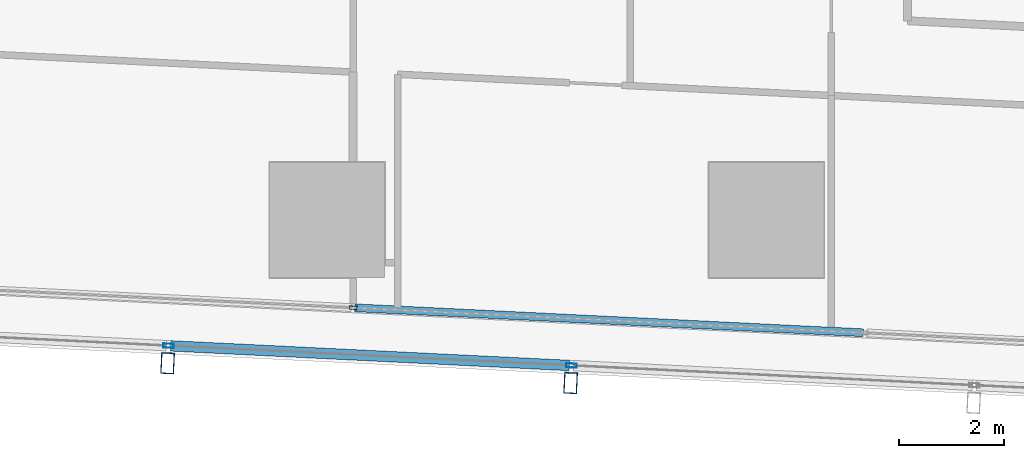
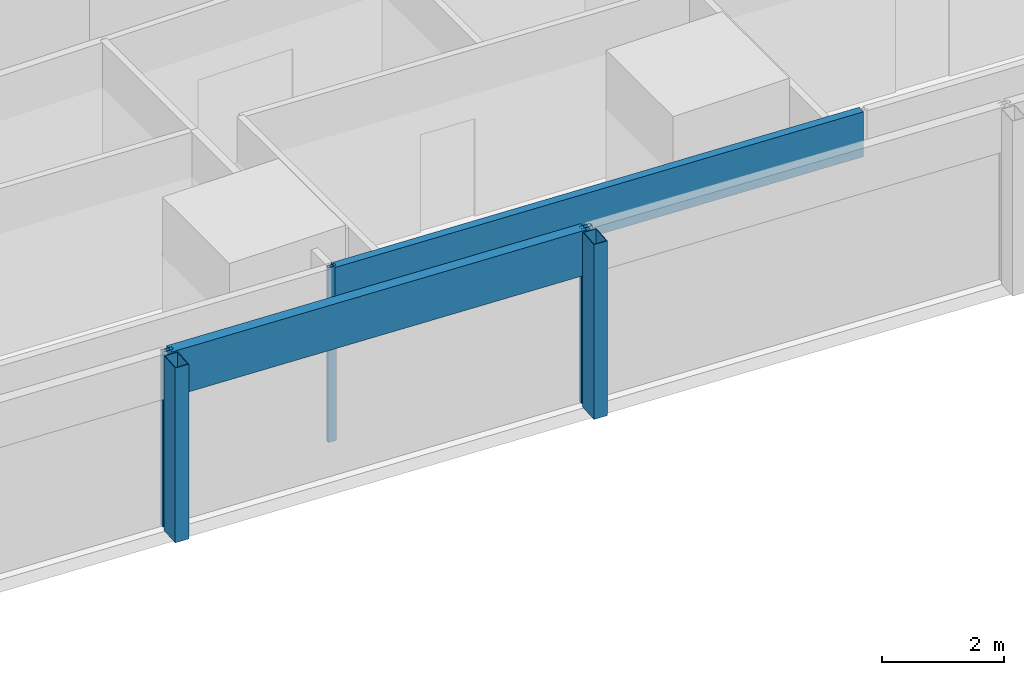
# One storey, part 5 of 45: 7 members, 2 elements without a shape of their own.
"""IFC4 building model written with IfcOpenShell, lengths in metres."""

from ifc_helpers import new_model, si_unit, direction, frame, origin, origin_2d, place, context, subcontext, project, spatial, hollow_rectangle, extrude, material, material_profile, profile_set, type_object, element, aggregate, save


model = new_model("IFC4")

# Units and contexts
model_context = context("Model", 3, precision=1e-05, world=origin(), true_north=direction((0.0, 1.0)))
body_context = subcontext(model_context, "Body", "Model", "MODEL_VIEW")
ifc_project = project(units=[si_unit("LENGTHUNIT", "METRE"), si_unit("AREAUNIT", "SQUARE_METRE"), si_unit("VOLUMEUNIT", "CUBIC_METRE"), si_unit("PLANEANGLEUNIT", "RADIAN"), si_unit("MASSUNIT", "GRAM", prefix="KILO")], contexts=[model_context])

# Site, building, storey
site_placement = place(None, origin())
site = spatial("IfcSite", under=ifc_project, at=site_placement, CompositionType="ELEMENT")
building_placement = place(site_placement, origin())
building = spatial("IfcBuilding", under=site, at=building_placement, Name="Rekha Terrace Tower", CompositionType="ELEMENT")
storey_placement = place(building_placement, frame((0.0, 0.0, 36.64990234375)))
storey = spatial("IfcBuildingStorey", under=building, at=storey_placement, Name="L08", CompositionType="ELEMENT", Elevation=36.64990234375)

# Curtain wall, members
ifc_material_1 = material(Name="Aluminium framing", Category="aluminium")
curtain_wall_type_1 = type_object("IfcCurtainWallType", Name="CW2 double skin outer glazing", PredefinedType="USERDEFINED", material=ifc_material_1)
curtain_wall_1_placement = place(storey_placement, origin())
curtain_wall_1 = element("IfcCurtainWall", 1, at=curtain_wall_1_placement, inside=storey, type_object=curtain_wall_type_1, Name="CW2 double skin outer glazing", ObjectType="DOUBLE SKIN OUTER GLAZING", PredefinedType="USERDEFINED")
ifc_material_2 = material(Name="Steel S355 with fluorocarbon finish", Category="steel")
ifc_material_profile_1 = material_profile(ifc_material_2, hollow_rectangle(XDim=0.25, YDim=0.39990234375, WallThickness=0.012451171875, at=origin_2d()), Name="RHS400x250x12.5")
ifc_profile_set_1 = profile_set([ifc_material_profile_1], Name="Steel S355 with fluorocarbon finish")
member_type_1 = type_object("IfcMemberType", Name="BL1 facade blade RHS 400 x 250", PredefinedType="USERDEFINED", material=ifc_profile_set_1)
member_1_placement = place(storey_placement, frame((22.14990234375, 5.6611328125, 0.0), z_axis=(0.0, 0.0, 1.0), x_axis=(0.998796226835, -0.049051985279, 0.0)))
member_1 = element("IfcMember", 2, at=member_1_placement, type_object=member_type_1, Name="Facade blade", ObjectType="FACADE BLADE", PredefinedType="USERDEFINED", context=body_context, shape_type="SweptSolid", body=[
    extrude(hollow_rectangle(XDim=0.25, YDim=0.39990234375, WallThickness=0.012451171875, at=origin_2d()), origin(), (0.0, 0.0, 1.0), 3.5),
])
member_2_placement = place(storey_placement, frame((29.856201171875, 5.28271484375, 0.0), z_axis=(0.0, 0.0, 1.0), x_axis=(0.998796226835, -0.049051985279, 0.0)))
member_2 = element("IfcMember", 3, at=member_2_placement, type_object=member_type_1, Name="Facade blade", ObjectType="FACADE BLADE", PredefinedType="USERDEFINED", context=body_context, shape_type="SweptSolid", body=[
    extrude(hollow_rectangle(XDim=0.25, YDim=0.39990234375, WallThickness=0.012451171875, at=origin_2d()), origin(), (0.0, 0.0, 1.0), 3.5),
])

curtain_wall_type_2 = type_object("IfcCurtainWallType", Name="CW1 double skin inner glazing", PredefinedType="USERDEFINED", material=ifc_material_1)
curtain_wall_2_placement = place(storey_placement, origin())
curtain_wall_2 = element("IfcCurtainWall", 4, at=curtain_wall_2_placement, inside=storey, type_object=curtain_wall_type_2, Name="CW1 double skin inner glazing", ObjectType="DOUBLE SKIN INNER GLAZING", PredefinedType="USERDEFINED")
ifc_material_3 = material(Name="Aluminium mullion section", Category="aluminium")
ifc_material_profile_2 = material_profile(ifc_material_3, hollow_rectangle(XDim=0.06494140625, YDim=0.14990234375, WallThickness=0.00390625, at=origin_2d()), Name="AL RHS 65x150")
ifc_profile_set_2 = profile_set([ifc_material_profile_2], Name="Aluminium mullion section")
member_type_2 = type_object("IfcMemberType", Name="CW1 mullion RHS 65 x 150", PredefinedType="MULLION", material=ifc_profile_set_2)
member_3_placement = place(storey_placement, frame((25.696044921875, 6.723388671875, 0.0), z_axis=(0.0, 0.0, 1.0), x_axis=(0.049051717746, 0.998796239974, 0.0)))
member_3 = element("IfcMember", 5, at=member_3_placement, type_object=member_type_2, Name="CW1 mullion 2", PredefinedType="MULLION", context=body_context, shape_type="SweptSolid", body=[
    extrude(hollow_rectangle(XDim=0.06494140625, YDim=0.14990234375, WallThickness=0.00390625, at=origin_2d()), origin(), (0.0, 0.0, 1.0), 3.5),
])
ifc_material_4 = material(Name="Insulated aluminium spandrel box", Category="aluminium")
ifc_material_profile_3 = material_profile(ifc_material_4, hollow_rectangle(XDim=0.14990234375, YDim=0.89990234375, WallThickness=0.0029296875, at=origin_2d()), Name="AL SPANDREL BOX 150x900")
ifc_profile_set_3 = profile_set([ifc_material_profile_3], Name="Insulated aluminium spandrel box")
member_type_3 = type_object("IfcMemberType", Name="CW1 spandrel transom 150 x 900", PredefinedType="USERDEFINED", material=ifc_profile_set_3)
member_4_placement = place(storey_placement, frame((25.728515625, 6.721923828125, 3.050048828125), z_axis=(0.998796042167, -0.049055745348, 0.0), x_axis=(0.049055745348, 0.998796042167, 0.0)))
member_4 = element("IfcMember", 6, at=member_4_placement, type_object=member_type_3, Name="CW1 spandrel transom 2", ObjectType="TRANSOM", PredefinedType="USERDEFINED", context=body_context, shape_type="SweptSolid", body=[
    extrude(hollow_rectangle(XDim=0.14990234375, YDim=0.89990234375, WallThickness=0.0029296875, at=origin_2d()), origin(), (0.0, 0.0, 1.0), 9.734619140625),
])
aggregate(curtain_wall_2, [member_3, member_4])

# Member
ifc_material_profile_4 = material_profile(ifc_material_3, hollow_rectangle(XDim=0.080078125, YDim=0.199951171875, WallThickness=0.00390625, at=origin_2d()), Name="AL RHS 80x200")
ifc_profile_set_4 = profile_set([ifc_material_profile_4], Name="Aluminium mullion section")
member_type_4 = type_object("IfcMemberType", Name="CW2 mullion RHS 80 x 200", PredefinedType="MULLION", material=ifc_profile_set_4)
member_5_placement = place(storey_placement, frame((22.166259765625, 5.99560546875, 0.0), z_axis=(0.0, 0.0, 1.0), x_axis=(0.049051717746, 0.998796239974, 0.0)))
member_5 = element("IfcMember", 7, at=member_5_placement, type_object=member_type_4, Name="CW2 mullion 3", PredefinedType="MULLION", context=body_context, shape_type="SweptSolid", body=[
    extrude(hollow_rectangle(XDim=0.080078125, YDim=0.199951171875, WallThickness=0.00390625, at=origin_2d()), origin(), (0.0, 0.0, 1.0), 3.5),
])

member_6_placement = place(storey_placement, frame((29.872802734375, 5.6171875, 0.0), z_axis=(0.0, 0.0, 1.0), x_axis=(0.049051717746, 0.998796239974, 0.0)))
member_6 = element("IfcMember", 8, at=member_6_placement, type_object=member_type_4, Name="CW2 mullion 4", PredefinedType="MULLION", context=body_context, shape_type="SweptSolid", body=[
    extrude(hollow_rectangle(XDim=0.080078125, YDim=0.199951171875, WallThickness=0.00390625, at=origin_2d()), origin(), (0.0, 0.0, 1.0), 3.5),
])

ifc_material_profile_5 = material_profile(ifc_material_4, hollow_rectangle(XDim=0.199951171875, YDim=0.89990234375, WallThickness=0.0029296875, at=origin_2d()), Name="AL SPANDREL BOX 200x900")
ifc_profile_set_5 = profile_set([ifc_material_profile_5], Name="Insulated aluminium spandrel box")
member_type_5 = type_object("IfcMemberType", Name="CW2 spandrel transom 200 x 900", PredefinedType="USERDEFINED", material=ifc_profile_set_5)
member_7_placement = place(storey_placement, frame((22.206298828125, 5.99365234375, 3.050048828125), z_axis=(0.998796434643, -0.049047753721, 0.0), x_axis=(0.049047753721, 0.998796434643, 0.0)))
member_7 = element("IfcMember", 9, at=member_7_placement, type_object=member_type_5, Name="CW2 spandrel transom 3", ObjectType="TRANSOM", PredefinedType="USERDEFINED", context=body_context, shape_type="SweptSolid", body=[
    extrude(hollow_rectangle(XDim=0.199951171875, YDim=0.89990234375, WallThickness=0.0029296875, at=origin_2d()), origin(), (0.0, 0.0, 1.0), 7.6357421875),
])

aggregate(curtain_wall_1, [member_5, member_6, member_7, member_1, member_2])

save(model, "model.ifc")
